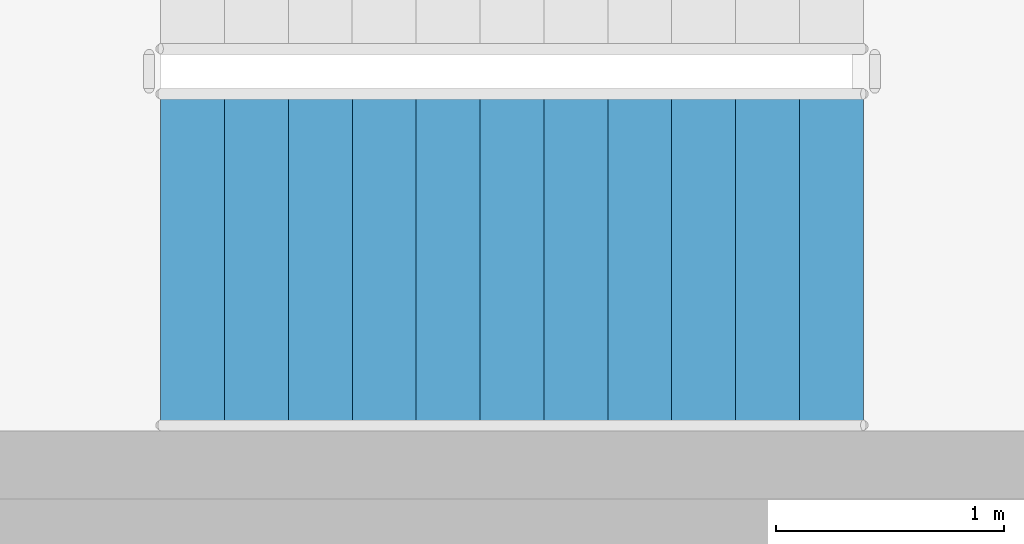
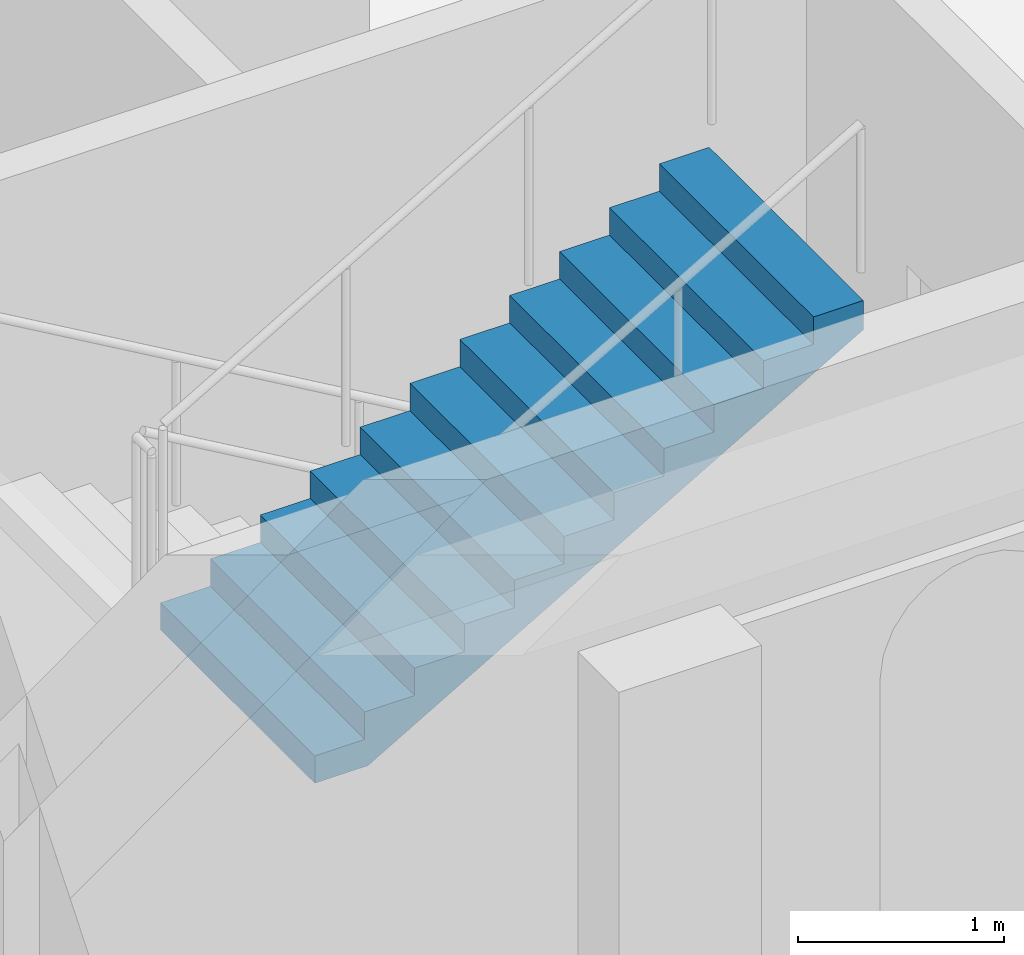
# One storey, part 25 of 32: 1 stair flight, 1 element without a shape of its own.
"""IFC4 building model written with IfcOpenShell, lengths in metres."""

from ifc_helpers import new_model, si_unit, direction, frame, origin, place, context, subcontext, project, spatial, triangles, material, type_object, element, aggregate, save


model = new_model("IFC4")

# Units and contexts
model_context = context("Model", 3, precision=1e-05, world=origin(), true_north=direction((0.0, 1.0)))
body_context = subcontext(model_context, "Body", "Model", "MODEL_VIEW")
ifc_project = project(units=[si_unit("LENGTHUNIT", "METRE"), si_unit("AREAUNIT", "SQUARE_METRE"), si_unit("VOLUMEUNIT", "CUBIC_METRE"), si_unit("PLANEANGLEUNIT", "RADIAN"), si_unit("MASSUNIT", "GRAM", prefix="KILO")], contexts=[model_context])

# Site, building, storey
site_placement = place(None, origin())
site = spatial("IfcSite", under=ifc_project, at=site_placement, CompositionType="ELEMENT")
building_placement = place(site_placement, origin())
building = spatial("IfcBuilding", under=site, at=building_placement, Name="Magnolia Steps Interchange", CompositionType="ELEMENT")
storey_placement = place(building_placement, frame((0.0, 0.0, 16.5)))
storey = spatial("IfcBuildingStorey", under=building, at=storey_placement, Name="L04", CompositionType="ELEMENT", Elevation=16.5)

# Stair, stair flight
ifc_material_1 = material(Name="Concrete C40", Category="concrete")
stair_type = type_object("IfcStairType", Name="Exit stair 1500", PredefinedType="HALF_TURN_STAIR", material=ifc_material_1)
stair_placement = place(storey_placement, origin())
stair = element("IfcStair", 1, at=stair_placement, inside=storey, type_object=stair_type, Name="L04 Stair 28", PredefinedType="HALF_TURN_STAIR")
ifc_material_2 = material(Name="Concrete C40", Category="concrete")
stair_flight_type = type_object("IfcStairFlightType", Name="Exit stair flight", PredefinedType="STRAIGHT", material=ifc_material_2)
stair_flight_placement = place(storey_placement, frame((66.070068359375, 97.60009765625, 1.949951171875), z_axis=(0.0, 0.0, 1.0), x_axis=(1.0, 0.0, 0.0)))
stair_flight = element("IfcStairFlight", 2, at=stair_flight_placement, type_object=stair_flight_type, Name="Stair 28 flight 2", NumberOfRisers=12, NumberOfTreads=11, PredefinedType="STRAIGHT", RiserHeight=0.1625, TreadLength=0.28, context=body_context, shape_type="Tessellation", body=[
    triangles([(0.0, -0.75, 0.0), (0.298583984375, -0.75, 0.0), (3.080078125, -0.75, 1.6142578125), (3.080078125, -0.75, 1.78759765625), (2.800048828125, -0.75, 1.78759765625), (2.800048828125, -0.75, 1.625), (2.52001953125, -0.75, 1.625), (2.52001953125, -0.75, 1.46240234375), (2.239990234375, -0.75, 1.46240234375), (2.239990234375, -0.75, 1.300048828125), (1.9599609375, -0.75, 1.300048828125), (1.9599609375, -0.75, 1.137451171875), (1.679931640625, -0.75, 1.137451171875), (1.679931640625, -0.75, 0.97509765625), (1.39990234375, -0.75, 0.97509765625), (1.39990234375, -0.75, 0.8125), (1.1201171875, -0.75, 0.8125), (1.1201171875, -0.75, 0.64990234375), (0.840087890625, -0.75, 0.64990234375), (0.840087890625, -0.75, 0.487548828125), (0.56005859375, -0.75, 0.487548828125), (0.56005859375, -0.75, 0.324951171875), (0.280029296875, -0.75, 0.324951171875), (0.280029296875, -0.75, 0.16259765625), (0.0, -0.75, 0.16259765625), (0.0, 0.75, 0.0), (0.298583984375, 0.75, 0.0), (3.080078125, 0.75, 1.6142578125), (3.080078125, 0.75, 1.78759765625), (2.800048828125, 0.75, 1.78759765625), (2.800048828125, 0.75, 1.625), (2.52001953125, 0.75, 1.625), (2.52001953125, 0.75, 1.46240234375), (2.239990234375, 0.75, 1.46240234375), (2.239990234375, 0.75, 1.300048828125), (1.9599609375, 0.75, 1.300048828125), (1.9599609375, 0.75, 1.137451171875), (1.679931640625, 0.75, 1.137451171875), (1.679931640625, 0.75, 0.97509765625), (1.39990234375, 0.75, 0.97509765625), (1.39990234375, 0.75, 0.8125), (1.1201171875, 0.75, 0.8125), (1.1201171875, 0.75, 0.64990234375), (0.840087890625, 0.75, 0.64990234375), (0.840087890625, 0.75, 0.487548828125), (0.56005859375, 0.75, 0.487548828125), (0.56005859375, 0.75, 0.324951171875), (0.280029296875, 0.75, 0.324951171875), (0.280029296875, 0.75, 0.16259765625), (0.0, 0.75, 0.16259765625), (0.0, 0.0, 0.0), (0.0, 0.0, 0.0406494140625), (0.0, 0.0, 0.081298828125), (0.0, 0.0, 0.1219482421875), (0.0, 0.0, 0.16259765625), (0.0, -0.05, 0.0), (0.0, -0.05, 0.16259765625), (0.0, 0.05, 0.0), (0.0, 0.05, 0.16259765625), (0.046671549479166664, 0.0, 0.16259765625), (0.09334309895833333, 0.0, 0.16259765625), (0.1400146484375, 0.0, 0.16259765625), (0.18668619791666666, 0.0, 0.16259765625), (0.23335774739583334, 0.0, 0.16259765625), (0.280029296875, 0.0, 0.16259765625), (0.280029296875, -0.05, 0.16259765625), (0.280029296875, 0.05, 0.16259765625), (0.280029296875, 0.0, 0.20318603515625), (0.280029296875, 0.0, 0.2437744140625), (0.280029296875, 0.0, 0.28436279296875), (0.280029296875, 0.0, 0.324951171875), (0.280029296875, -0.05, 0.324951171875), (0.280029296875, 0.05, 0.324951171875), (0.3267008463541667, 0.0, 0.324951171875), (0.3733723958333333, 0.0, 0.324951171875), (0.4200439453125, 0.0, 0.324951171875), (0.46671549479166663, 0.0, 0.324951171875), (0.5133870442708334, 0.0, 0.324951171875), (0.56005859375, 0.0, 0.324951171875), (0.56005859375, -0.05, 0.324951171875), (0.56005859375, 0.05, 0.324951171875), (0.56005859375, 0.0, 0.3656005859375), (0.56005859375, 0.0, 0.40625), (0.56005859375, 0.0, 0.4468994140625), (0.56005859375, 0.0, 0.487548828125), (0.56005859375, -0.05, 0.487548828125), (0.56005859375, 0.05, 0.487548828125), (0.6067301432291666, 0.0, 0.487548828125), (0.6534016927083334, 0.0, 0.487548828125), (0.7000732421875, 0.0, 0.487548828125), (0.7467447916666666, 0.0, 0.487548828125), (0.7934163411458334, 0.0, 0.487548828125), (0.840087890625, 0.0, 0.487548828125), (0.840087890625, -0.05, 0.487548828125), (0.840087890625, 0.05, 0.487548828125), (0.840087890625, 0.0, 0.52813720703125), (0.840087890625, 0.0, 0.5687255859375), (0.840087890625, 0.0, 0.60931396484375), (0.840087890625, 0.0, 0.64990234375), (0.840087890625, -0.05, 0.64990234375), (0.840087890625, 0.05, 0.64990234375), (0.8867594401041666, 0.0, 0.64990234375), (0.9334309895833334, 0.0, 0.64990234375), (0.9801025390625, 0.0, 0.64990234375), (1.0267740885416667, 0.0, 0.64990234375), (1.0734456380208333, 0.0, 0.64990234375), (1.1201171875, 0.0, 0.64990234375), (1.1201171875, -0.05, 0.64990234375), (1.1201171875, 0.05, 0.64990234375), (1.1201171875, 0.0, 0.6905517578125), (1.1201171875, 0.0, 0.731201171875), (1.1201171875, 0.0, 0.7718505859375), (1.1201171875, 0.0, 0.8125), (1.1201171875, -0.05, 0.8125), (1.1201171875, 0.05, 0.8125), (1.1900634765625, 0.0, 0.8125), (1.260009765625, 0.0, 0.8125), (1.3299560546875, 0.0, 0.8125), (1.39990234375, 0.0, 0.8125), (1.39990234375, -0.05, 0.8125), (1.39990234375, 0.05, 0.8125), (1.39990234375, 0.0, 0.8531494140625), (1.39990234375, 0.0, 0.893798828125), (1.39990234375, 0.0, 0.9344482421875), (1.39990234375, 0.0, 0.97509765625), (1.39990234375, -0.05, 0.97509765625), (1.39990234375, 0.05, 0.97509765625), (1.4465738932291667, 0.0, 0.97509765625), (1.4932454427083333, 0.0, 0.97509765625), (1.5399169921875, 0.0, 0.97509765625), (1.5865885416666667, 0.0, 0.97509765625), (1.6332600911458333, 0.0, 0.97509765625), (1.679931640625, 0.0, 0.97509765625), (1.679931640625, -0.05, 0.97509765625), (1.679931640625, 0.05, 0.97509765625), (1.679931640625, 0.0, 1.01568603515625), (1.679931640625, 0.0, 1.0562744140625), (1.679931640625, 0.0, 1.09686279296875), (1.679931640625, 0.0, 1.137451171875), (1.679931640625, -0.05, 1.137451171875), (1.679931640625, 0.05, 1.137451171875), (1.7266031901041667, 0.0, 1.137451171875), (1.7732747395833333, 0.0, 1.137451171875), (1.8199462890625, 0.0, 1.137451171875), (1.8666178385416667, 0.0, 1.137451171875), (1.9132893880208333, 0.0, 1.137451171875), (1.9599609375, 0.0, 1.137451171875), (1.9599609375, -0.05, 1.137451171875), (1.9599609375, 0.05, 1.137451171875), (1.9599609375, 0.0, 1.1781005859375), (1.9599609375, 0.0, 1.21875), (1.9599609375, 0.0, 1.2593994140625), (1.9599609375, 0.0, 1.300048828125), (1.9599609375, -0.05, 1.300048828125), (1.9599609375, 0.05, 1.300048828125), (2.0066324869791665, 0.0, 1.300048828125), (2.0533040364583335, 0.0, 1.300048828125), (2.0999755859375, 0.0, 1.300048828125), (2.1466471354166665, 0.0, 1.300048828125), (2.1933186848958335, 0.0, 1.300048828125), (2.239990234375, 0.0, 1.300048828125), (2.239990234375, -0.05, 1.300048828125), (2.239990234375, 0.05, 1.300048828125), (2.239990234375, 0.0, 1.34063720703125), (2.239990234375, 0.0, 1.3812255859375), (2.239990234375, 0.0, 1.42181396484375), (2.239990234375, 0.0, 1.46240234375), (2.239990234375, -0.05, 1.46240234375), (2.239990234375, 0.05, 1.46240234375), (2.2866617838541665, 0.0, 1.46240234375), (2.3333333333333335, 0.0, 1.46240234375), (2.3800048828125, 0.0, 1.46240234375), (2.4266764322916665, 0.0, 1.46240234375), (2.4733479817708335, 0.0, 1.46240234375), (2.52001953125, 0.0, 1.46240234375), (2.52001953125, -0.05, 1.46240234375), (2.52001953125, 0.05, 1.46240234375), (2.52001953125, 0.0, 1.5030517578125), (2.52001953125, 0.0, 1.543701171875), (2.52001953125, 0.0, 1.5843505859375), (2.52001953125, 0.0, 1.625), (2.52001953125, -0.05, 1.625), (2.52001953125, 0.05, 1.625), (2.5666910807291665, 0.0, 1.625), (2.6133626302083335, 0.0, 1.625), (2.6600341796875, 0.0, 1.625), (2.7067057291666665, 0.0, 1.625), (2.7533772786458335, 0.0, 1.625), (2.800048828125, 0.0, 1.625), (2.800048828125, -0.05, 1.625), (2.800048828125, 0.05, 1.625), (2.800048828125, 0.0, 1.6656494140625), (2.800048828125, 0.0, 1.706298828125), (2.800048828125, 0.0, 1.7469482421875), (2.800048828125, 0.0, 1.78759765625), (2.800048828125, -0.05, 1.78759765625), (2.800048828125, 0.05, 1.78759765625), (2.8467203776041665, 0.0, 1.78759765625), (2.8933919270833335, 0.0, 1.78759765625), (2.9400634765625, 0.0, 1.78759765625), (2.9867350260416665, 0.0, 1.78759765625), (3.0334065755208335, 0.0, 1.78759765625), (3.080078125, 0.0, 1.78759765625), (3.080078125, -0.05, 1.78759765625), (3.080078125, 0.05, 1.78759765625), (3.080078125, 0.0, 1.7442626953125), (3.080078125, 0.0, 1.700927734375), (3.080078125, 0.0, 1.6575927734375), (3.080078125, 0.0, 1.6142578125), (3.080078125, -0.05, 1.6142578125), (3.080078125, 0.05, 1.6142578125), (3.0196108610733696, 0.0, 1.5791652513586956), (2.9591435971467392, 0.0, 1.5440726902173914), (2.898676333220109, 0.0, 1.508980129076087), (2.8382090692934785, 0.0, 1.4738875679347827), (2.7777418053668477, 0.0, 1.4387950067934783), (2.7172745414402173, 0.0, 1.4037024456521738), (2.656807277513587, 0.0, 1.3686098845108696), (2.5963400135869565, 0.0, 1.3335173233695652), (2.535872749660326, 0.0, 1.2984247622282608), (2.475405485733696, 0.0, 1.2633322010869565), (2.4149382218070654, 0.0, 1.228239639945652), (2.3544709578804346, 0.0, 1.193147078804348), (2.294003693953804, 0.0, 1.1580545176630435), (2.233536430027174, 0.0, 1.1229619565217392), (2.1730691661005435, 0.0, 1.0878693953804348), (2.112601902173913, 0.0, 1.0527768342391304), (2.0521346382472827, 0.0, 1.0176842730978262), (1.991667374320652, 0.0, 0.9825917119565217), (1.9312001103940217, 0.0, 0.9474991508152174), (1.8707328464673914, 0.0, 0.9124065896739131), (1.810265582540761, 0.0, 0.8773140285326086), (1.7497983186141304, 0.0, 0.8422214673913043), (1.6893310546875, 0.0, 0.80712890625), (1.6288637907608696, 0.0, 0.7720363451086957), (1.568396526834239, 0.0, 0.7369437839673914), (1.5079292629076086, 0.0, 0.7018512228260869), (1.4474619989809783, 0.0, 0.6667586616847826), (1.386994735054348, 0.0, 0.6316661005434783), (1.3265274711277173, 0.0, 0.5965735394021738), (1.266060207201087, 0.0, 0.5614809782608696), (1.2055929432744565, 0.0, 0.5263884171195652), (1.1451256793478262, 0.0, 0.491295855978261), (1.0846584154211956, 0.0, 0.45620329483695654), (1.0241911514945654, 0.0, 0.4211107336956521), (0.9637238875679346, 0.0, 0.3860181725543479), (0.9032566236413042, 0.0, 0.35092561141304346), (0.8427893597146738, 0.0, 0.315833050271739), (0.7823220957880435, 0.0, 0.2807404891304348), (0.7218548318614131, 0.0, 0.24564792798913038), (0.6613875679347827, 0.0, 0.21055536684782616), (0.6009203040081523, 0.0, 0.17546280570652173), (0.540453040081522, 0.0, 0.1403702445652173), (0.47998577615489113, 0.0, 0.10527768342391308), (0.41951851222826075, 0.0, 0.07018512228260865), (0.3590512483016304, 0.0, 0.035092561141304435), (0.298583984375, 0.0, 0.0), (0.298583984375, -0.05, 0.0), (0.298583984375, 0.05, 0.0), (0.24881998697916666, 0.0, 0.0), (0.19905598958333331, 0.0, 0.0), (0.1492919921875, 0.0, 0.0), (0.09952799479166666, 0.0, 0.0), (0.04976399739583334, 0.0, 0.0)], [[1, 2, 3], [3, 4, 5], [3, 5, 6], [3, 6, 7], [3, 7, 8], [8, 9, 10], [3, 8, 10], [10, 11, 12], [3, 10, 12], [12, 13, 14], [3, 12, 14], [14, 15, 16], [3, 14, 16], [16, 17, 18], [3, 16, 18], [18, 19, 20], [3, 18, 20], [20, 21, 22], [3, 20, 22], [1, 3, 22], [22, 23, 24], [1, 22, 24], [24, 25, 1], [26, 28, 27], [28, 30, 29], [28, 31, 30], [28, 32, 31], [28, 33, 32], [33, 35, 34], [28, 35, 33], [35, 37, 36], [28, 37, 35], [37, 39, 38], [28, 39, 37], [39, 41, 40], [28, 41, 39], [41, 43, 42], [28, 43, 41], [43, 45, 44], [28, 45, 43], [45, 47, 46], [28, 47, 45], [26, 47, 28], [47, 49, 48], [26, 49, 47], [49, 26, 50], [1, 25, 57], [1, 57, 56], [56, 52, 51], [56, 53, 52], [56, 57, 53], [57, 54, 53], [57, 55, 54], [26, 59, 50], [26, 58, 59], [58, 51, 52], [58, 52, 53], [58, 53, 59], [59, 53, 54], [59, 54, 55], [25, 24, 66], [25, 66, 57], [57, 60, 55], [57, 61, 60], [57, 62, 61], [57, 66, 62], [66, 63, 62], [66, 64, 63], [66, 65, 64], [50, 67, 49], [50, 59, 67], [59, 55, 60], [59, 60, 61], [59, 61, 62], [59, 62, 67], [67, 62, 63], [67, 63, 64], [67, 64, 65], [24, 23, 72], [24, 72, 66], [66, 68, 65], [66, 69, 68], [66, 72, 69], [72, 70, 69], [72, 71, 70], [49, 73, 48], [49, 67, 73], [67, 65, 68], [67, 68, 69], [67, 69, 73], [73, 69, 70], [73, 70, 71], [23, 22, 80], [23, 80, 72], [72, 74, 71], [72, 75, 74], [72, 76, 75], [72, 80, 76], [80, 77, 76], [80, 78, 77], [80, 79, 78], [48, 81, 47], [48, 73, 81], [73, 71, 74], [73, 74, 75], [73, 75, 76], [73, 76, 81], [81, 76, 77], [81, 77, 78], [81, 78, 79], [22, 21, 86], [22, 86, 80], [80, 82, 79], [80, 83, 82], [80, 86, 83], [86, 84, 83], [86, 85, 84], [47, 87, 46], [47, 81, 87], [81, 79, 82], [81, 82, 83], [81, 83, 87], [87, 83, 84], [87, 84, 85], [21, 20, 94], [21, 94, 86], [86, 88, 85], [86, 89, 88], [86, 90, 89], [86, 94, 90], [94, 91, 90], [94, 92, 91], [94, 93, 92], [46, 95, 45], [46, 87, 95], [87, 85, 88], [87, 88, 89], [87, 89, 90], [87, 90, 95], [95, 90, 91], [95, 91, 92], [95, 92, 93], [20, 19, 100], [20, 100, 94], [94, 96, 93], [94, 97, 96], [94, 100, 97], [100, 98, 97], [100, 99, 98], [45, 101, 44], [45, 95, 101], [95, 93, 96], [95, 96, 97], [95, 97, 101], [101, 97, 98], [101, 98, 99], [19, 18, 108], [19, 108, 100], [100, 102, 99], [100, 103, 102], [100, 104, 103], [100, 108, 104], [108, 105, 104], [108, 106, 105], [108, 107, 106], [44, 109, 43], [44, 101, 109], [101, 99, 102], [101, 102, 103], [101, 103, 104], [101, 104, 109], [109, 104, 105], [109, 105, 106], [109, 106, 107], [18, 17, 114], [18, 114, 108], [108, 110, 107], [108, 111, 110], [108, 114, 111], [114, 112, 111], [114, 113, 112], [43, 115, 42], [43, 109, 115], [109, 107, 110], [109, 110, 111], [109, 111, 115], [115, 111, 112], [115, 112, 113], [17, 16, 120], [17, 120, 114], [114, 116, 113], [114, 117, 116], [114, 120, 117], [120, 118, 117], [120, 119, 118], [42, 121, 41], [42, 115, 121], [115, 113, 116], [115, 116, 117], [115, 117, 121], [121, 117, 118], [121, 118, 119], [16, 15, 126], [16, 126, 120], [120, 122, 119], [120, 123, 122], [120, 126, 123], [126, 124, 123], [126, 125, 124], [41, 127, 40], [41, 121, 127], [121, 119, 122], [121, 122, 123], [121, 123, 127], [127, 123, 124], [127, 124, 125], [15, 14, 134], [15, 134, 126], [126, 128, 125], [126, 129, 128], [126, 130, 129], [126, 134, 130], [134, 131, 130], [134, 132, 131], [134, 133, 132], [40, 135, 39], [40, 127, 135], [127, 125, 128], [127, 128, 129], [127, 129, 130], [127, 130, 135], [135, 130, 131], [135, 131, 132], [135, 132, 133], [14, 13, 140], [14, 140, 134], [134, 136, 133], [134, 137, 136], [134, 140, 137], [140, 138, 137], [140, 139, 138], [39, 141, 38], [39, 135, 141], [135, 133, 136], [135, 136, 137], [135, 137, 141], [141, 137, 138], [141, 138, 139], [13, 12, 148], [13, 148, 140], [140, 142, 139], [140, 143, 142], [140, 144, 143], [140, 148, 144], [148, 145, 144], [148, 146, 145], [148, 147, 146], [38, 149, 37], [38, 141, 149], [141, 139, 142], [141, 142, 143], [141, 143, 144], [141, 144, 149], [149, 144, 145], [149, 145, 146], [149, 146, 147], [12, 11, 154], [12, 154, 148], [148, 150, 147], [148, 151, 150], [148, 154, 151], [154, 152, 151], [154, 153, 152], [37, 155, 36], [37, 149, 155], [149, 147, 150], [149, 150, 151], [149, 151, 155], [155, 151, 152], [155, 152, 153], [11, 10, 162], [11, 162, 154], [154, 156, 153], [154, 157, 156], [154, 158, 157], [154, 162, 158], [162, 159, 158], [162, 160, 159], [162, 161, 160], [36, 163, 35], [36, 155, 163], [155, 153, 156], [155, 156, 157], [155, 157, 158], [155, 158, 163], [163, 158, 159], [163, 159, 160], [163, 160, 161], [10, 9, 168], [10, 168, 162], [162, 164, 161], [162, 165, 164], [162, 168, 165], [168, 166, 165], [168, 167, 166], [35, 169, 34], [35, 163, 169], [163, 161, 164], [163, 164, 165], [163, 165, 169], [169, 165, 166], [169, 166, 167], [9, 8, 176], [9, 176, 168], [168, 170, 167], [168, 171, 170], [168, 172, 171], [168, 176, 172], [176, 173, 172], [176, 174, 173], [176, 175, 174], [34, 177, 33], [34, 169, 177], [169, 167, 170], [169, 170, 171], [169, 171, 172], [169, 172, 177], [177, 172, 173], [177, 173, 174], [177, 174, 175], [8, 7, 182], [8, 182, 176], [176, 178, 175], [176, 179, 178], [176, 182, 179], [182, 180, 179], [182, 181, 180], [33, 183, 32], [33, 177, 183], [177, 175, 178], [177, 178, 179], [177, 179, 183], [183, 179, 180], [183, 180, 181], [7, 6, 190], [7, 190, 182], [182, 184, 181], [182, 185, 184], [182, 186, 185], [182, 190, 186], [190, 187, 186], [190, 188, 187], [190, 189, 188], [32, 191, 31], [32, 183, 191], [183, 181, 184], [183, 184, 185], [183, 185, 186], [183, 186, 191], [191, 186, 187], [191, 187, 188], [191, 188, 189], [6, 5, 196], [6, 196, 190], [190, 192, 189], [190, 193, 192], [190, 196, 193], [196, 194, 193], [196, 195, 194], [31, 197, 30], [31, 191, 197], [191, 189, 192], [191, 192, 193], [191, 193, 197], [197, 193, 194], [197, 194, 195], [5, 4, 204], [5, 204, 196], [196, 198, 195], [196, 199, 198], [196, 200, 199], [196, 204, 200], [204, 201, 200], [204, 202, 201], [204, 203, 202], [30, 205, 29], [30, 197, 205], [197, 195, 198], [197, 198, 199], [197, 199, 200], [197, 200, 205], [205, 200, 201], [205, 201, 202], [205, 202, 203], [4, 3, 210], [4, 210, 204], [204, 206, 203], [204, 207, 206], [204, 210, 207], [210, 208, 207], [210, 209, 208], [29, 211, 28], [29, 205, 211], [205, 203, 206], [205, 206, 207], [205, 207, 211], [211, 207, 208], [211, 208, 209], [3, 2, 258], [3, 258, 210], [210, 212, 209], [210, 213, 212], [210, 214, 213], [210, 215, 214], [210, 216, 215], [210, 217, 216], [210, 218, 217], [210, 219, 218], [210, 220, 219], [210, 221, 220], [210, 222, 221], [210, 223, 222], [210, 224, 223], [210, 225, 224], [210, 226, 225], [210, 227, 226], [210, 228, 227], [210, 229, 228], [210, 230, 229], [210, 231, 230], [210, 232, 231], [210, 233, 232], [210, 234, 233], [210, 258, 234], [258, 235, 234], [258, 236, 235], [258, 237, 236], [258, 238, 237], [258, 239, 238], [258, 240, 239], [258, 241, 240], [258, 242, 241], [258, 243, 242], [258, 244, 243], [258, 245, 244], [258, 246, 245], [258, 247, 246], [258, 248, 247], [258, 249, 248], [258, 250, 249], [258, 251, 250], [258, 252, 251], [258, 253, 252], [258, 254, 253], [258, 255, 254], [258, 256, 255], [258, 257, 256], [28, 259, 27], [28, 211, 259], [211, 209, 212], [211, 212, 213], [211, 213, 214], [211, 214, 215], [211, 215, 216], [211, 216, 217], [211, 217, 218], [211, 218, 219], [211, 219, 220], [211, 220, 221], [211, 221, 222], [211, 222, 223], [211, 223, 224], [211, 224, 225], [211, 225, 226], [211, 226, 227], [211, 227, 228], [211, 228, 229], [211, 229, 230], [211, 230, 231], [211, 231, 232], [211, 232, 233], [211, 233, 234], [211, 234, 259], [259, 234, 235], [259, 235, 236], [259, 236, 237], [259, 237, 238], [259, 238, 239], [259, 239, 240], [259, 240, 241], [259, 241, 242], [259, 242, 243], [259, 243, 244], [259, 244, 245], [259, 245, 246], [259, 246, 247], [259, 247, 248], [259, 248, 249], [259, 249, 250], [259, 250, 251], [259, 251, 252], [259, 252, 253], [259, 253, 254], [259, 254, 255], [259, 255, 256], [259, 256, 257], [2, 1, 56], [2, 56, 258], [258, 260, 257], [258, 261, 260], [258, 262, 261], [258, 56, 262], [56, 263, 262], [56, 264, 263], [56, 51, 264], [27, 58, 26], [27, 259, 58], [259, 257, 260], [259, 260, 261], [259, 261, 262], [259, 262, 58], [58, 262, 263], [58, 263, 264], [58, 264, 51]], closed=True),
])
aggregate(stair, [stair_flight])

save(model, "model.ifc")
